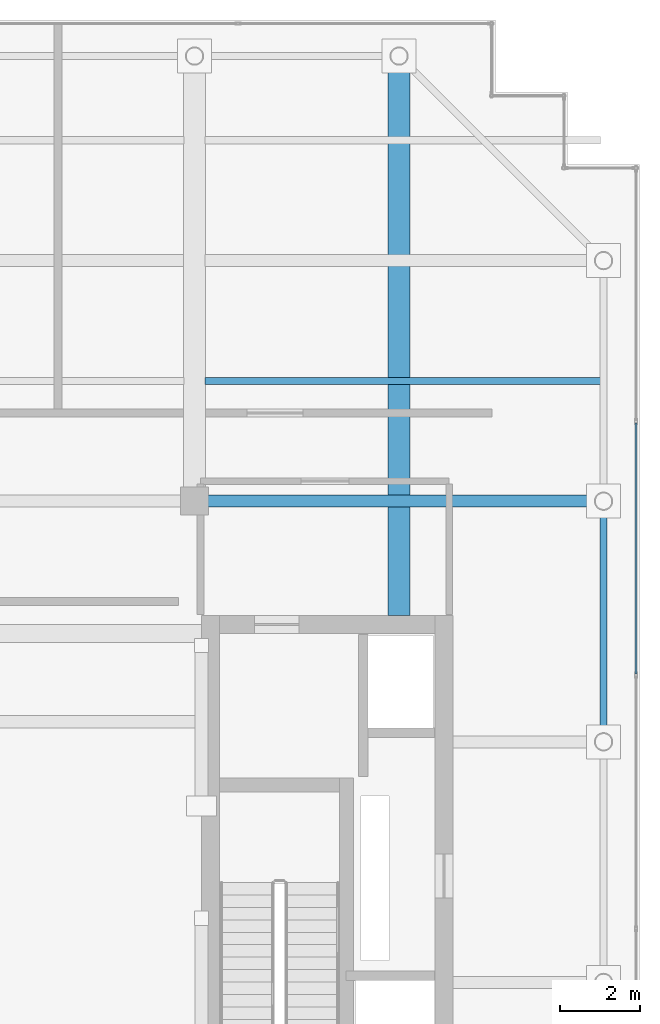
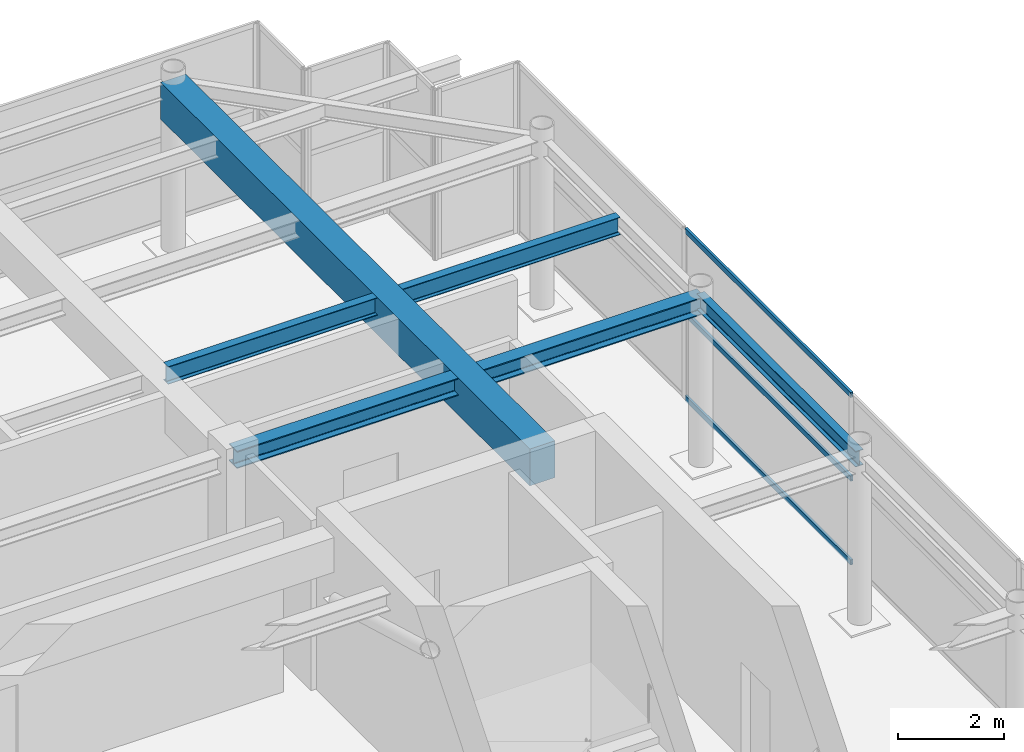
# One storey, part 18 of 32: 4 beams, 3 members, 1 element without a shape of its own.
"""IFC4 building model written with IfcOpenShell, lengths in metres."""

from ifc_helpers import new_model, si_unit, direction, frame, origin, origin_2d, place, context, subcontext, project, spatial, rectangle, hollow_rectangle, i_section, extrude, source, transform, mapped, material, layer, layer_set, material_profile, profile_set, type_object, element, aggregate, save


model = new_model("IFC4")

# Units and contexts
model_context = context("Model", 3, precision=1e-05, world=origin(), true_north=direction((0.0, 1.0)))
body_context = subcontext(model_context, "Body", "Model", "MODEL_VIEW")
ifc_project = project(units=[si_unit("LENGTHUNIT", "METRE"), si_unit("AREAUNIT", "SQUARE_METRE"), si_unit("VOLUMEUNIT", "CUBIC_METRE"), si_unit("PLANEANGLEUNIT", "RADIAN"), si_unit("MASSUNIT", "GRAM", prefix="KILO")], contexts=[model_context])

# Site, building, storey
site_placement = place(None, origin())
site = spatial("IfcSite", under=ifc_project, at=site_placement, CompositionType="ELEMENT")
building_placement = place(site_placement, origin())
building = spatial("IfcBuilding", under=site, at=building_placement, Name="Khoralis Quay Care Tower", CompositionType="ELEMENT")
storey_placement = place(building_placement, frame((0.0, 0.0, 293.699951171875)))
storey = spatial("IfcBuildingStorey", under=building, at=storey_placement, Name="L77", CompositionType="ELEMENT", Elevation=293.699951171875)

# Beams
ifc_material_1 = material(Name="Steel S355", Category="steel")
ifc_material_profile_1 = material_profile(ifc_material_1, i_section(OverallWidth=0.169921875, OverallDepth=0.360107421875, WebThickness=0.008056640625, FlangeThickness=0.0126953125, FilletRadius=0.01806640625, at=origin_2d()), Name="Steel S355")
ifc_profile_set_1 = profile_set([ifc_material_profile_1], Name="Steel S355")
beam_type_1 = type_object("IfcBeamType", Name="BM-IPE360", PredefinedType="SPANDREL", material=ifc_profile_set_1)
shared_shape_1 = source(origin(), body_context, "Body", "SweptSolid", [
    extrude(i_section(OverallWidth=0.169921875, OverallDepth=0.360107421875, WebThickness=0.008056640625, FlangeThickness=0.0126953125, FilletRadius=0.01806640625, at=origin_2d()), origin(), (0.0, 0.0, 1.0), 6.0),
])
beam_1_placement = place(storey_placement, frame((41.10009765625, 24.0, 3.739990234375), z_axis=(0.0, 1.0, 0.0), x_axis=(-1.0, 0.0, 0.0)))
element("IfcBeam", 1, at=beam_1_placement, inside=storey, type_object=beam_type_1, Name="BM-TSP-L77-15", PredefinedType="SPANDREL", context=body_context, shape_type="MappedRepresentation", body=[
    mapped(shared_shape_1, transform((0.0, 0.0, 0.0), scale=1.0)),
])
ifc_material_profile_2 = material_profile(ifc_material_1, i_section(OverallWidth=0.300048828125, OverallDepth=0.39990234375, WebThickness=0.013427734375, FlangeThickness=0.02392578125, FilletRadius=0.027099609375, at=origin_2d()), Name="Steel S355")
ifc_profile_set_2 = profile_set([ifc_material_profile_2], Name="Steel S355")
beam_type_2 = type_object("IfcBeamType", Name="BM-HEB400", PredefinedType="BEAM", material=ifc_profile_set_2)
shared_shape_2 = source(origin(), body_context, "Body", "SweptSolid", [
    extrude(i_section(OverallWidth=0.300048828125, OverallDepth=0.39990234375, WebThickness=0.013427734375, FlangeThickness=0.02392578125, FilletRadius=0.027099609375, at=origin_2d()), origin(), (0.0, 0.0, 1.0), 10.2001953125),
])
beam_2_placement = place(storey_placement, frame((30.89990234375, 30.0, 3.719970703125), z_axis=(1.0, 0.0, 0.0), x_axis=(0.0, 1.0, 0.0)))
element("IfcBeam", 2, at=beam_2_placement, inside=storey, type_object=beam_type_2, Name="BM-TGXE-L77-300", PredefinedType="BEAM", context=body_context, shape_type="MappedRepresentation", body=[
    mapped(shared_shape_2, transform((0.0, 0.0, 0.0), scale=1.0)),
])
ifc_material_profile_3 = material_profile(ifc_material_1, i_section(OverallWidth=0.177978515625, OverallDepth=0.406982421875, WebThickness=0.0078125, FlangeThickness=0.0126953125, FilletRadius=0.012939453125, at=origin_2d()), Name="Steel S355")
ifc_profile_set_3 = profile_set([ifc_material_profile_3], Name="Steel S355")
beam_type_3 = type_object("IfcBeamType", Name="BM-W410X60", PredefinedType="JOIST", material=ifc_profile_set_3)
shared_shape_3 = source(origin(), body_context, "Body", "SweptSolid", [
    extrude(i_section(OverallWidth=0.177978515625, OverallDepth=0.406982421875, WebThickness=0.0078125, FlangeThickness=0.0126953125, FilletRadius=0.012939453125, at=origin_2d()), origin(), (0.0, 0.0, 1.0), 9.865966796875),
])
beam_3_placement = place(storey_placement, frame((31.1630859375, 33.0, 3.716552734375), z_axis=(1.0, 0.0, 0.0), x_axis=(0.0, 1.0, 0.0)))
element("IfcBeam", 3, at=beam_3_placement, inside=storey, type_object=beam_type_3, Name="BM-TJS-L77-25", PredefinedType="JOIST", context=body_context, shape_type="MappedRepresentation", body=[
    mapped(shared_shape_3, transform((0.0, 0.0, 0.0), scale=1.0)),
])
ifc_material_2 = material(Name="Concrete C50/60", Category="concrete")
ifc_material_profile_4 = material_profile(ifc_material_2, rectangle(XDim=0.550048828125, YDim=0.85009765625, at=origin_2d()), Name="Concrete C50/60")
ifc_profile_set_4 = profile_set([ifc_material_profile_4], Name="Concrete C50/60")
beam_type_4 = type_object("IfcBeamType", Name="BM-RC550X850", PredefinedType="BEAM", material=ifc_profile_set_4)
shared_shape_4 = source(origin(), body_context, "Body", "SweptSolid", [
    extrude(rectangle(XDim=0.550048828125, YDim=0.85009765625, at=origin_2d()), origin(), (0.0, 0.0, 1.0), 13.9521484375),
])
beam_4_placement = place(storey_placement, frame((36.0, 27.14794921875, 3.4951171875), z_axis=(0.0, 1.0, 0.0), x_axis=(-1.0, 0.0, 0.0)))
element("IfcBeam", 4, at=beam_4_placement, inside=storey, type_object=beam_type_4, Name="BM-TGYN-L77-360", PredefinedType="BEAM", context=body_context, shape_type="MappedRepresentation", body=[
    mapped(shared_shape_4, transform((0.0, 0.0, 0.0), scale=1.0)),
])

# Curtain wall, members
ifc_material_3 = material(Name="Pale anodised aluminium", Category="aluminium")
ifc_layer = layer(ifc_material_3, 0.199951171875)
ifc_layer_set = layer_set([ifc_layer], Name="Pale anodised aluminium")
curtain_wall_type = type_object("IfcCurtainWallType", Name="CW-SYS-LANTERN", PredefinedType="NOTDEFINED", material=ifc_layer_set)
curtain_wall_placement = place(storey_placement, origin())
curtain_wall = element("IfcCurtainWall", 5, at=curtain_wall_placement, inside=storey, type_object=curtain_wall_type, Name="L77 Unitised Curtain Wall CW-LN-L77-06", PredefinedType="NOTDEFINED")
ifc_material_profile_5 = material_profile(ifc_material_3, hollow_rectangle(XDim=0.054931640625, YDim=0.1201171875, WallThickness=0.00390625, at=origin_2d()), Name="Pale anodised aluminium")
ifc_profile_set_5 = profile_set([ifc_material_profile_5], Name="Pale anodised aluminium")
member_type = type_object("IfcMemberType", Name="CW-TRN-120", PredefinedType="USERDEFINED", material=ifc_profile_set_5)
shared_shape_5 = source(origin(), body_context, "Body", "SweptSolid", [
    extrude(hollow_rectangle(XDim=0.054931640625, YDim=0.1201171875, WallThickness=0.00390625, at=origin_2d()), origin(), (0.0, 0.0, 1.0), 6.26416015625),
])
member_1_placement = place(storey_placement, frame((41.909912109375, 25.69189453125, 0.030029296875), z_axis=(0.0, 1.0, 0.0), x_axis=(-1.0, 0.0, 0.0)))
member_1 = element("IfcMember", 6, at=member_1_placement, type_object=member_type, Name="CW5 transom 4.1", ObjectType="TRANSOM", PredefinedType="USERDEFINED", context=body_context, shape_type="MappedRepresentation", body=[
    mapped(shared_shape_5, transform((0.0, 0.0, 0.0), scale=1.0)),
])
member_2_placement = place(storey_placement, frame((41.909912109375, 25.69189453125, 1.9599609375), z_axis=(0.0, 1.0, 0.0), x_axis=(-1.0, 0.0, 0.0)))
member_2 = element("IfcMember", 7, at=member_2_placement, type_object=member_type, Name="CW5 transom 4.2", ObjectType="TRANSOM", PredefinedType="USERDEFINED", context=body_context, shape_type="MappedRepresentation", body=[
    mapped(shared_shape_5, transform((0.0, 0.0, 0.0), scale=1.0)),
])
member_3_placement = place(storey_placement, frame((41.909912109375, 25.69189453125, 3.89013671875), z_axis=(0.0, 1.0, 0.0), x_axis=(-1.0, 0.0, 0.0)))
member_3 = element("IfcMember", 8, at=member_3_placement, type_object=member_type, Name="CW5 transom 4.3", ObjectType="TRANSOM", PredefinedType="USERDEFINED", context=body_context, shape_type="MappedRepresentation", body=[
    mapped(shared_shape_5, transform((0.0, 0.0, 0.0), scale=1.0)),
])
aggregate(curtain_wall, [member_1, member_2, member_3])

save(model, "model.ifc")
